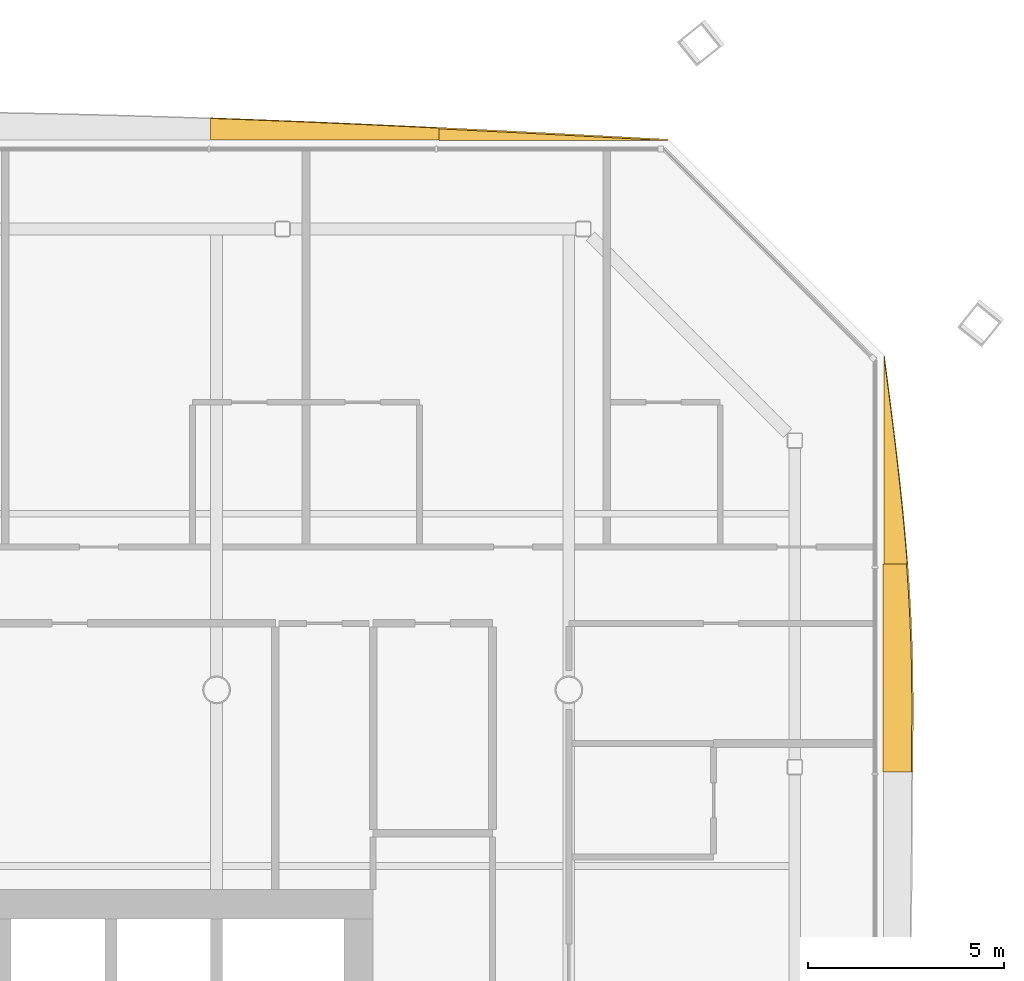
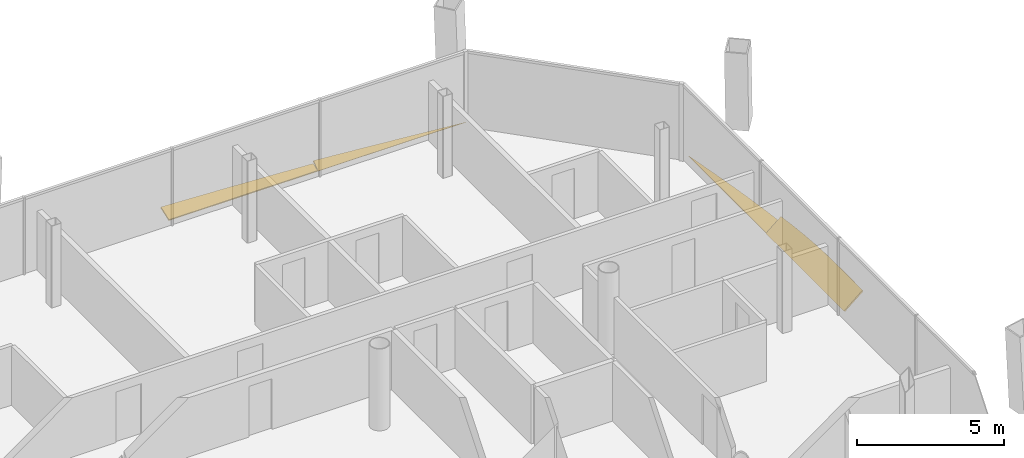
# One storey, part 21 of 21: 4 shading devices.
"""IFC4 building model written with IfcOpenShell, lengths in metres."""

from ifc_helpers import new_model, si_unit, direction, frame, origin, place, context, subcontext, project, spatial, polyline, outline, extrude, material, layer, layer_set, type_object, element, save


model = new_model("IFC4")

# Units and contexts
model_context = context("Model", 3, precision=1e-05, world=origin(), true_north=direction((0.0, 1.0)))
body_context = subcontext(model_context, "Body", "Model", "MODEL_VIEW")
ifc_project = project(units=[si_unit("LENGTHUNIT", "METRE"), si_unit("AREAUNIT", "SQUARE_METRE"), si_unit("VOLUMEUNIT", "CUBIC_METRE"), si_unit("PLANEANGLEUNIT", "RADIAN"), si_unit("MASSUNIT", "GRAM", prefix="KILO")], contexts=[model_context])

# Site, building, storey
site_placement = place(None, origin())
site = spatial("IfcSite", under=ifc_project, at=site_placement, CompositionType="ELEMENT")
building_placement = place(site_placement, origin())
building = spatial("IfcBuilding", under=site, at=building_placement, Name="Tskaro Facet Tower", CompositionType="ELEMENT")
storey_placement = place(building_placement, frame((0.0, 0.0, 138.5)))
storey = spatial("IfcBuildingStorey", under=building, at=storey_placement, Name="L33", CompositionType="ELEMENT", Elevation=138.5)

# Shading devices
ifc_material = material(Name="Bronze anodised aluminium 6063-T6", Category="aluminium")
ifc_layer = layer(ifc_material, 0.06005859375, Name="Bronze anodised aluminium 6063-T6")
ifc_layer_set = layer_set([ifc_layer], Name="Bronze anodised aluminium 6063-T6")
shading_device_type = type_object("IfcShadingDeviceType", Name="Bronze sun blade (FN1)", PredefinedType="USERDEFINED", material=ifc_layer_set)
shading_device_1_placement = place(storey_placement, frame((26.031494140625, 6.896240234375, 0.0458984375), z_axis=(-0.642890476958, -4.17541e-07, 0.765958115459), x_axis=(-2.68433e-07, 1.0, 3.19819e-07)))
element("IfcShadingDevice", 1, at=shading_device_1_placement, inside=storey, type_object=shading_device_type, Name="Fin blade east 6", ObjectType="FIN", PredefinedType="USERDEFINED", context=body_context, shape_type="SweptSolid", body=[
    extrude(outline(polyline([(0.0, 0.0), (5.314941406249536, 0.0), (5.314941406267893, -0.7761660512801674), (4.65063476559352, -0.8363083313536581), (3.986083984376533, -0.8848228856994378), (3.3217773437512164, -0.9205208871070067), (2.6574707031706515, -0.9435592912592159), (1.9931640624661309, -0.9532802296144804), (1.8496093749786886, -0.9536241867903633), (1.3288574219067242, -0.9530932281214486), (0.6643066405940553, -0.9513734422420339), (1.2366491157022095e-11, -0.9485917390247895), (0.0, 0.0)])), origin(), (0.0, 0.0, -1.0), 0.06005859375),
])
shading_device_2_placement = place(storey_placement, frame((26.049560546875, 12.211181640625, 0.056396484375), z_axis=(-0.342008127832, -9.017345e-06, 0.939696993938), x_axis=(-3.084005e-06, 0.999999999959, 8.473572e-06)))
element("IfcShadingDevice", 2, at=shading_device_2_placement, inside=storey, type_object=shading_device_type, Name="Fin blade east 7", ObjectType="FIN", PredefinedType="USERDEFINED", context=body_context, shape_type="SweptSolid", body=[
    extrude(outline(polyline([(0.0, 0.0), (5.314697265408924, 0.0), (4.650390625141235, -0.09198529891591542), (3.986083983747782, -0.18288592882997656), (3.3217773436774105, -0.2712418823955765), (2.6574707024885442, -0.3556555743213538), (1.9929199225679175, -0.4352093317616287), (1.328613280655193, -0.5084220713469524), (0.6643066412058469, -0.5744596183097324), (-4.804876515141135e-10, -0.6326126419928672), (0.0, 0.0)])), origin(), (0.0, 0.0, -1.0), 0.06005859375),
])
shading_device_3_placement = place(storey_placement, frame((20.52587890625, 23.031494140625, 0.0458984375), z_axis=(1.5983239e-05, -0.64297748678, 0.765885077044), x_axis=(-0.999999999872, -1.0276863e-05, 1.2241324e-05)))
element("IfcShadingDevice", 3, at=shading_device_3_placement, inside=storey, type_object=shading_device_type, Name="Fin blade north 1", ObjectType="FIN", PredefinedType="USERDEFINED", context=body_context, shape_type="SweptSolid", body=[
    extrude(outline(polyline([(0.0, 0.0), (5.8417968742538156, 0.0), (5.8417968757812915, -0.39439781476419106), (5.1115722647355595, -0.34744607777426306), (4.381347655239617, -0.29961943594909357), (3.6511230447844643, -0.251104872950094), (2.9208984358791024, -0.20171540511585284), (2.1906738290031353, -0.1517949930332852), (1.4604492186589584, -0.10137364343829897), (0.7302246108237815, -0.05076531018190125), (0.0, 0.0)])), origin(), (0.0, 0.0, -1.0), 0.06005859375),
])
shading_device_4_placement = place(storey_placement, frame((14.68408203125, 23.049560546875, 0.056396484375), z_axis=(3.38061e-06, -0.342009238946, 0.939696589578), x_axis=(-0.999999999994, -1.1562e-06, 3.176748e-06)))
element("IfcShadingDevice", 4, at=shading_device_4_placement, inside=storey, type_object=shading_device_type, Name="Fin blade north 2", ObjectType="FIN", PredefinedType="USERDEFINED", context=body_context, shape_type="SweptSolid", body=[
    extrude(outline(polyline([(0.0, 0.0), (5.842041015591617, -1.2371003048613375e-21), (5.842041015595239, -0.5853476543623548), (5.111816406462797, -0.5573140625669561), (4.381591796697286, -0.5276534670473528), (3.6513671878498557, -0.4965328645022496), (2.9211425783693574, -0.4637852582329417), (2.1909179684668145, -0.42995298281416394), (1.4606933592000748, -0.39489011848257755), (0.730224609168567, -0.35851316688883017), (-1.6668922148941542e-10, -0.32136446260765655), (0.0, 0.0)])), origin(), (0.0, 0.0, -1.0), 0.06005859375),
])

save(model, "model.ifc")
